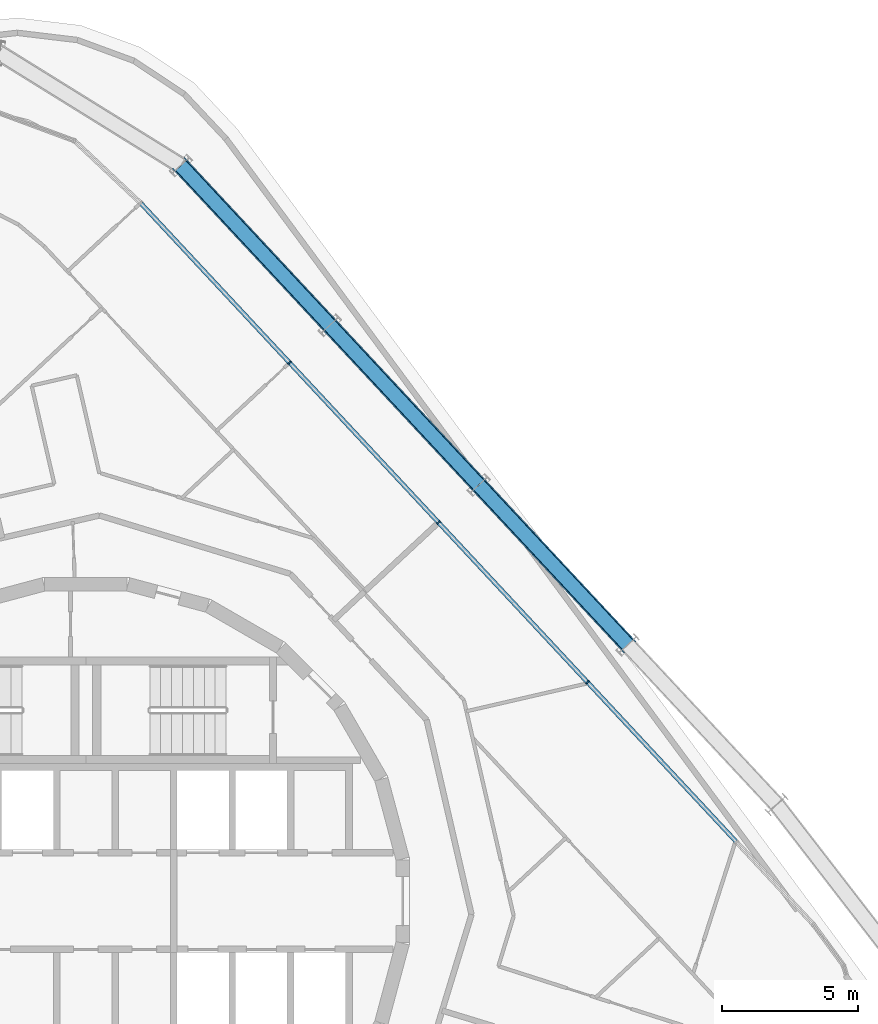
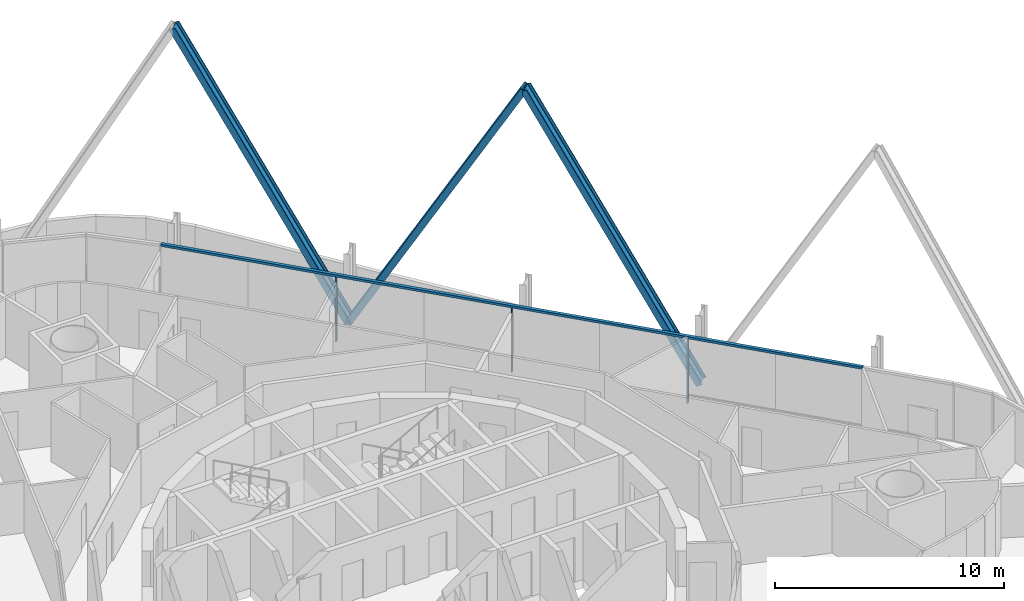
# One storey, part 9 of 18: 7 members, 1 element without a shape of its own.
"""IFC4 building model written with IfcOpenShell, lengths in metres."""

from ifc_helpers import new_model, si_unit, direction, frame, origin, origin_2d, place, context, subcontext, project, spatial, rectangle, i_section, extrude, material, layer, layer_set, material_profile, profile_set, type_object, element, aggregate, save


model = new_model("IFC4")

# Units and contexts
model_context = context("Model", 3, precision=1e-05, world=origin(), true_north=direction((0.0, 1.0)))
body_context = subcontext(model_context, "Body", "Model", "MODEL_VIEW")
ifc_project = project(units=[si_unit("LENGTHUNIT", "METRE"), si_unit("AREAUNIT", "SQUARE_METRE"), si_unit("VOLUMEUNIT", "CUBIC_METRE"), si_unit("PLANEANGLEUNIT", "RADIAN"), si_unit("MASSUNIT", "GRAM", prefix="KILO")], contexts=[model_context])

# Site, building, storey
site_placement = place(None, origin())
site = spatial("IfcSite", under=ifc_project, at=site_placement, CompositionType="ELEMENT")
building_placement = place(site_placement, origin())
building = spatial("IfcBuilding", under=site, at=building_placement, Name="Spindle Arch Residences", CompositionType="ELEMENT")
storey_placement = place(building_placement, frame((0.0, 0.0, 113.39990234375)))
storey = spatial("IfcBuildingStorey", under=building, at=storey_placement, Name="L27", CompositionType="ELEMENT", Elevation=113.39990234375)

# Curtain wall, members
ifc_material_1 = material(Name="Aluminium bronze unitised frame with tinted glass", Category="aluminium")
ifc_layer = layer(ifc_material_1, 0.159912109375)
ifc_layer_set = layer_set([ifc_layer], Name="CW-C typical residential unitised wall")
curtain_wall_type = type_object("IfcCurtainWallType", Name="CW-C typical residential unitised wall", PredefinedType="NOTDEFINED", material=ifc_layer_set)
curtain_wall_placement = place(storey_placement, origin())
curtain_wall = element("IfcCurtainWall", 1, at=curtain_wall_placement, inside=storey, type_object=curtain_wall_type, Name="CW-C L27 run 2", PredefinedType="NOTDEFINED")
ifc_material_2 = material(Name="Aluminium bronze anodised mullion", Category="aluminium")
ifc_material_profile_1 = material_profile(ifc_material_2, rectangle(XDim=0.159912109375, YDim=0.06005859375, at=origin_2d()), Name="MU 60x160")
ifc_profile_set_1 = profile_set([ifc_material_profile_1], Name="Aluminium bronze anodised mullion")
member_type_1 = type_object("IfcMemberType", Name="Bronze mullion 60x160", PredefinedType="MULLION", material=ifc_profile_set_1)
member_1_placement = place(storey_placement, frame((18.437744140625, 8.044677734375, -0.449951171875), z_axis=(0.0, 0.0, 1.0), x_axis=(-0.731353701619, -0.681998360062, 0.0)))
member_1 = element("IfcMember", 2, at=member_1_placement, type_object=member_type_1, Name="CW-C mullion 06", PredefinedType="MULLION", context=body_context, shape_type="SweptSolid", body=[
    extrude(rectangle(XDim=0.159912109375, YDim=0.06005859375, at=origin_2d()), origin(), (0.0, 0.0, 1.0), 3.449951171875),
])
member_2_placement = place(storey_placement, frame((12.961669921875, 13.916748046875, -0.449951171875), z_axis=(0.0, 0.0, 1.0), x_axis=(-0.731353701619, -0.681998360062, 0.0)))
member_2 = element("IfcMember", 3, at=member_2_placement, type_object=member_type_1, Name="CW-C mullion 07", PredefinedType="MULLION", context=body_context, shape_type="SweptSolid", body=[
    extrude(rectangle(XDim=0.159912109375, YDim=0.06005859375, at=origin_2d()), origin(), (0.0, 0.0, 1.0), 3.449951171875),
])
member_3_placement = place(storey_placement, frame((7.48583984375, 19.7890625, -0.449951171875), z_axis=(0.0, 0.0, 1.0), x_axis=(-0.731353701619, -0.681998360062, 0.0)))
member_3 = element("IfcMember", 4, at=member_3_placement, type_object=member_type_1, Name="CW-C mullion 08", PredefinedType="MULLION", context=body_context, shape_type="SweptSolid", body=[
    extrude(rectangle(XDim=0.159912109375, YDim=0.06005859375, at=origin_2d()), origin(), (0.0, 0.0, 1.0), 3.449951171875),
])
ifc_material_3 = material(Name="Aluminium bronze anodised transom", Category="aluminium")
ifc_material_profile_2 = material_profile(ifc_material_3, rectangle(XDim=0.159912109375, YDim=0.1201171875, at=origin_2d()), Name="TR 120x160")
ifc_profile_set_2 = profile_set([ifc_material_profile_2], Name="Aluminium bronze anodised transom")
member_type_2 = type_object("IfcMemberType", Name="Bronze transom 120x160", PredefinedType="USERDEFINED", material=ifc_profile_set_2)
member_4_placement = place(storey_placement, frame((23.89306640625, 2.1943359375, 3.06005859375), z_axis=(-0.681996633995, 0.731355311199, 0.0), x_axis=(-0.731355311199, -0.681996633995, 0.0)))
member_4 = element("IfcMember", 5, at=member_4_placement, type_object=member_type_2, Name="CW-C transom 00", ObjectType="TRANSOM", PredefinedType="USERDEFINED", context=body_context, shape_type="SweptSolid", body=[
    extrude(rectangle(XDim=0.159912109375, YDim=0.1201171875, at=origin_2d()), origin(), (0.0, 0.0, 1.0), 32.056640625),
])
aggregate(curtain_wall, [member_4, member_1, member_2, member_3])

# Members
ifc_material_4 = material(Name="Steel S460ML, intumescent coating R 240", Category="steel")
ifc_material_profile_3 = material_profile(ifc_material_4, i_section(OverallWidth=0.304931640625, OverallDepth=0.6201171875, WebThickness=0.02099609375, FlangeThickness=0.0400390625, FilletRadius=0.027099609375, at=origin_2d()), Name="HEM 600")
ifc_profile_set_3 = profile_set([ifc_material_profile_3], Name="Steel S460ML, intumescent coating R 240")
member_type_3 = type_object("IfcMemberType", Name="Diagrid diagonal HEM 600", PredefinedType="BRACE", material=ifc_profile_set_3)
member_5_placement = place(storey_placement, frame((19.9150390625, 9.42236328125, -0.699951171875), z_axis=(-0.338018872339, 0.362478483994, 0.868534737696), x_axis=(0.592341345368, -0.635204157064, 0.495628297634)))
element("IfcMember", 6, at=member_5_placement, inside=storey, type_object=member_type_3, Name="Diagrid diagonal 3.1.7", PredefinedType="BRACE", context=body_context, shape_type="SweptSolid", body=[
    extrude(i_section(OverallWidth=0.304931640625, OverallDepth=0.6201171875, WebThickness=0.02099609375, FlangeThickness=0.0400390625, FilletRadius=0.027099609375, at=origin_2d()), origin(), (0.0, 0.0, 1.0), 16.19970703125),
])
for number, where, z_axis, x_axis, name in (
    (7, (8.963134765625, 21.16650390625, -0.699951171875), (0.338032220934, -0.362476637446, 0.868530313182), (-0.592352453179, 0.635187748724, 0.495636051033), "Diagrid diagonal 3.1.8"),
    (8, (8.963134765625, 21.16650390625, -0.699951171875), (-0.338017025795, 0.362491574366, 0.868529993027), (0.592324937088, -0.635212970341, 0.495636612059), "Diagrid diagonal 3.1.9"),
):
    element("IfcMember", number, at=place(storey_placement, frame(where, z_axis=z_axis, x_axis=x_axis)), inside=storey, type_object=member_type_3, Name=name, PredefinedType="BRACE", context=body_context, shape_type="SweptSolid", body=[
        extrude(i_section(OverallWidth=0.304931640625, OverallDepth=0.6201171875, WebThickness=0.02099609375, FlangeThickness=0.0400390625, FilletRadius=0.027099609375, at=origin_2d()), origin(), (0.0, 0.0, 1.0), 16.199951171875),
    ])

save(model, "model.ifc")
